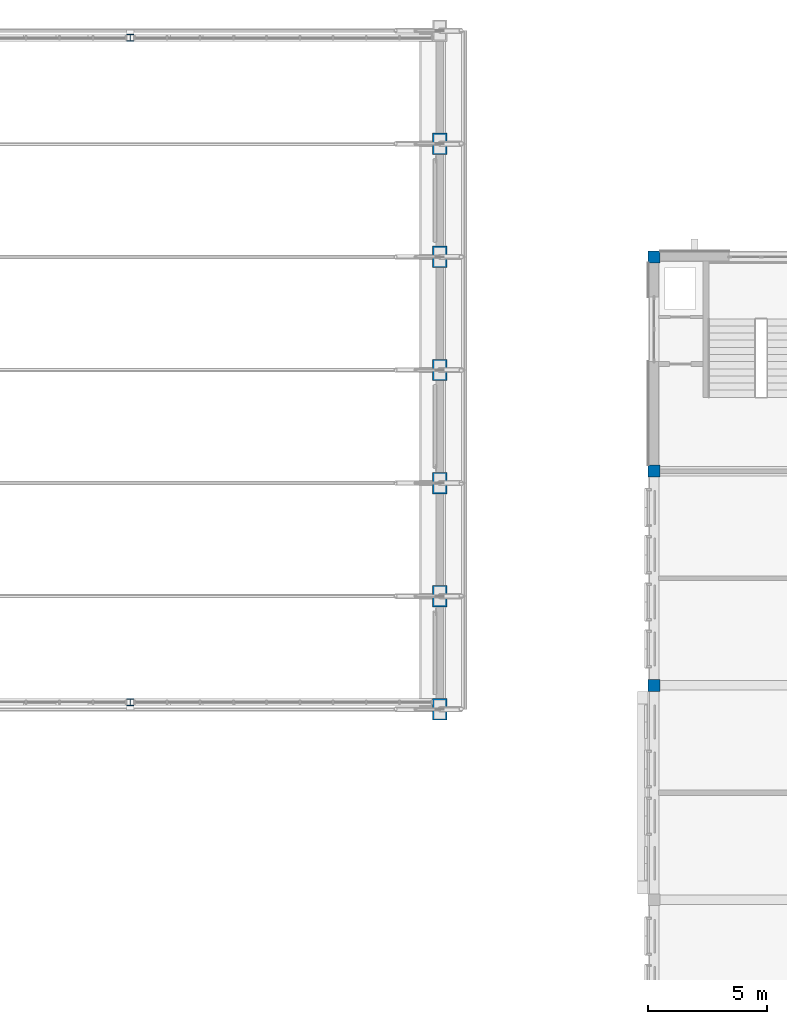
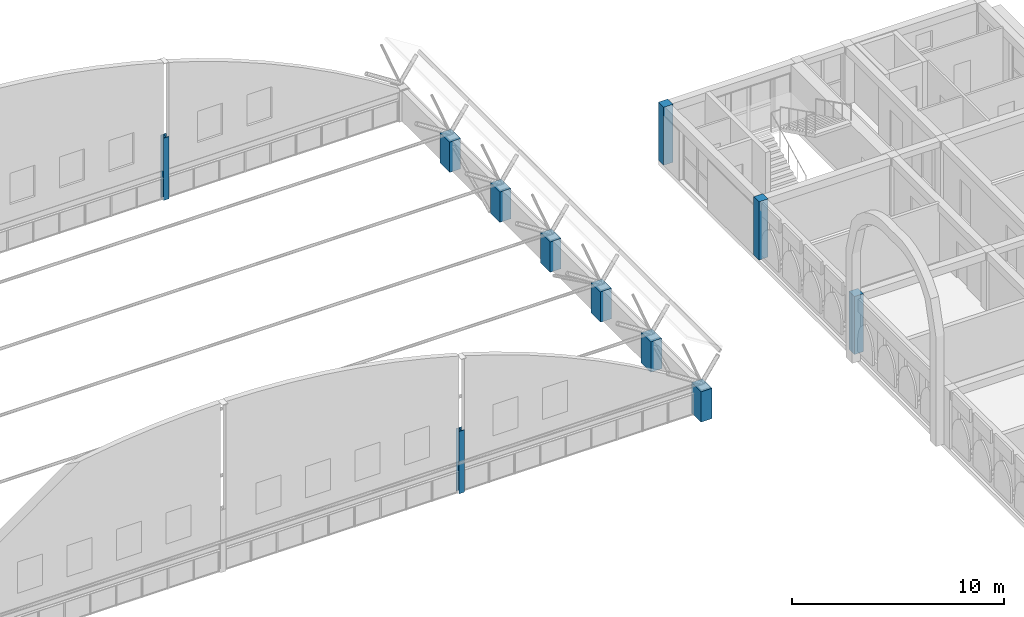
# One storey, part 3 of 65: 11 columns.
"""IFC4 building model written with IfcOpenShell, lengths in metres."""

import ifcopenshell
import ifcopenshell.guid

model = None  # the IFC model being written
_history = None  # IfcOwnerHistory: only IFC2X3 demands one
_inside = {}  # id of a spatial element -> (the spatial element, [elements in it])
_under = {}  # id of a project, library or spatial element -> (it, [spatial elements below it])
_declared = {}  # id of a project -> (the project, [libraries it declares])
_typed = {}  # id of a type object -> (the type object, [elements of that type])
_made_of = {}  # id of a material, layer set ... -> (it, [elements and type objects made of it])


def new_model(schema):
    """Start an empty IFC model of exactly this schema.

    Asked for "IFC4X3", IfcOpenShell would pick the latest addendum, in which some entities
    have other attributes; the version numbers below select the first issue.
    IFC2X3 requires an IfcOwnerHistory on every rooted entity: one is made here for all.
    """
    global model, _history
    if schema == "IFC4X3":
        model = ifcopenshell.file(schema_version=(4, 3, 0, 0))
    else:
        model = ifcopenshell.file(schema=schema)
    _inside.clear()
    _under.clear()
    _declared.clear()
    _typed.clear()
    _made_of.clear()
    _history = None
    if model.schema == "IFC2X3":
        org = make("IfcOrganization", Name="unknown")
        user = make(
            "IfcPersonAndOrganization",
            ThePerson=make("IfcPerson", FamilyName="unknown"),
            TheOrganization=org,
        )
        app = make(
            "IfcApplication",
            ApplicationDeveloper=org,
            Version="unknown",
            ApplicationFullName="unknown",
            ApplicationIdentifier="unknown",
        )
        _history = make(
            "IfcOwnerHistory",
            OwningUser=user,
            OwningApplication=app,
            ChangeAction="ADDED",
            CreationDate=0,
        )
    return model


def make(cls, **values):
    """One entity of the class cls with the attributes given. An attribute that is None is left unset."""
    return model.create_entity(
        cls, **{name: value for name, value in values.items() if value is not None}
    )


def rooted(cls, **values):
    """An entity with a GlobalId (a new one), such as an element, a storey or a relation."""
    return make(cls, GlobalId=ifcopenshell.guid.new(), OwnerHistory=_history, **values)


def si_unit(unit_type, name, prefix=None):
    """IfcSIUnit, for example si_unit("LENGTHUNIT", "METRE", prefix="MILLI")."""
    return make("IfcSIUnit", UnitType=unit_type, Prefix=prefix, Name=name)


def assignment(units):
    """IfcUnitAssignment: the units of a project."""
    return None if units is None else make("IfcUnitAssignment", Units=units)


def point(xyz):
    """IfcCartesianPoint."""
    return None if xyz is None else make("IfcCartesianPoint", Coordinates=xyz)


def direction(xyz):
    """IfcDirection."""
    return None if xyz is None else make("IfcDirection", DirectionRatios=xyz)


def frame(location, z_axis=None, x_axis=None):
    """IfcAxis2Placement3D, a coordinate frame: its origin and axes. An axis left out is left unset."""
    return make(
        "IfcAxis2Placement3D",
        Location=point(location),
        Axis=direction(z_axis),
        RefDirection=direction(x_axis),
    )


def frame_2d(location, x_axis=None):
    """IfcAxis2Placement2D, a coordinate frame in the plane: its origin and x axis."""
    return make(
        "IfcAxis2Placement2D", Location=point(location), RefDirection=direction(x_axis)
    )


def origin():
    """The frame at (0, 0, 0) with its axes left unset."""
    return frame((0.0, 0.0, 0.0))


def origin_2d():
    """The frame at (0, 0) in the plane with its x axis left unset."""
    return frame_2d((0.0, 0.0))


def place(relative_to, where):
    """IfcLocalPlacement: puts the frame where relative to a parent placement (None: the world)."""
    return make(
        "IfcLocalPlacement", PlacementRelTo=relative_to, RelativePlacement=where
    )


def context(
    kind, dimensions, precision=None, world=None, true_north=None, identifier=None
):
    """IfcGeometricRepresentationContext, for example the 3D "Model" context."""
    return make(
        "IfcGeometricRepresentationContext",
        ContextIdentifier=identifier,
        ContextType=kind,
        CoordinateSpaceDimension=dimensions,
        Precision=precision,
        WorldCoordinateSystem=world,
        TrueNorth=true_north,
    )


def subcontext(parent, identifier, kind, view, scale=None):
    """IfcGeometricRepresentationSubContext, for example "Body" below "Model"."""
    return make(
        "IfcGeometricRepresentationSubContext",
        ContextIdentifier=identifier,
        ContextType=kind,
        ParentContext=parent,
        TargetScale=scale,
        TargetView=view,
    )


def project(units=None, contexts=None):
    """IfcProject with its units and contexts."""
    return rooted(
        "IfcProject",
        Name="project",
        RepresentationContexts=contexts,
        UnitsInContext=assignment(units),
    )


def spatial(cls, under=None, at=None, **own):
    """A site, building, storey or space (cls), placed at a placement, below another one or the project."""
    s = rooted(cls, ObjectPlacement=at, **own)
    if under is not None:
        _under.setdefault(under.id(), (under, []))[1].append(s)
    return s


def profile(cls, at=None, kind="AREA", **sizes):
    """A parametric profile (cls). Its sizes go by their IFC names, for example OverallWidth=200.0."""
    return make(cls, ProfileType=kind, Position=at, **sizes)


def rectangle(**sizes):
    """IfcRectangleProfileDef."""
    return profile("IfcRectangleProfileDef", **sizes)


def i_section(**sizes):
    """IfcIShapeProfileDef."""
    return profile("IfcIShapeProfileDef", **sizes)


def extrude(swept, where, along, depth):
    """IfcExtrudedAreaSolid: the profile swept, set in the frame where, extruded along a direction by depth."""
    return make(
        "IfcExtrudedAreaSolid",
        SweptArea=swept,
        Position=where,
        ExtrudedDirection=direction(along),
        Depth=depth,
    )


def shape(context_of_items, identifier, shape_type, items):
    """IfcShapeRepresentation: the items that make up one representation, for example the "Body"."""
    return make(
        "IfcShapeRepresentation",
        ContextOfItems=context_of_items,
        RepresentationIdentifier=identifier,
        RepresentationType=shape_type,
        Items=items,
    )


def material(Name=None, Category=None):
    """IfcMaterial."""
    return make("IfcMaterial", Name=Name, Category=Category)


def material_profile(
    of_material, cross_section, Name=None, Category=None, Priority=None
):
    """IfcMaterialProfile: a cross section and its material."""
    return make(
        "IfcMaterialProfile",
        Name=Name,
        Material=of_material,
        Profile=cross_section,
        Priority=Priority,
        Category=Category,
    )


def profile_set(profiles, Name=None, composite=None):
    """IfcMaterialProfileSet."""
    return make(
        "IfcMaterialProfileSet",
        Name=Name,
        MaterialProfiles=profiles,
        CompositeProfile=composite,
    )


def made_of(thing, what):
    """Note that an element or type object is made of a material, layer set ...; save() writes the relation."""
    if what is not None:
        _made_of.setdefault(what.id(), (what, []))[1].append(thing)
    return thing


def type_object(cls, material=None, **own):
    """A type object (cls), such as IfcWallType, which elements share."""
    return made_of(rooted(cls, **own), material)


def element(
    cls,
    number,
    at=None,
    inside=None,
    cuts=None,
    type_object=None,
    material=None,
    context=None,
    identifier="Body",
    shape_type=None,
    held_by="IfcProductDefinitionShape",
    body=None,
    shapes=None,
    **own,
):
    """One element of the class cls, such as IfcWall. Its Tag is "e" and its number.

    at: its placement. inside: the storey or other place that contains it. cuts: it is an
    opening in that element (IfcRelVoidsElement). A single representation is given by context,
    identifier, shape_type and body (its items); several are given by shapes. held_by: the class
    of the entity that holds the representations. save() writes the other relations.
    """
    e = rooted(cls, Tag="e%d" % number, ObjectPlacement=at, **own)
    if body is not None:
        shapes = [shape(context, identifier, shape_type, body)]
    if shapes is not None:
        e.Representation = make(held_by, Representations=shapes)
    if inside is not None:
        _inside.setdefault(inside.id(), (inside, []))[1].append(e)
    if cuts is not None:
        rooted(
            "IfcRelVoidsElement", RelatingBuildingElement=cuts, RelatedOpeningElement=e
        )
    if type_object is not None:
        _typed.setdefault(type_object.id(), (type_object, []))[1].append(e)
    return made_of(e, material)


def aggregate(whole, parts):
    """IfcRelAggregates: a whole, such as a stair, and the parts it consists of."""
    return rooted("IfcRelAggregates", RelatingObject=whole, RelatedObjects=parts)


def save(model, path):
    """Write the relations noted so far, then the file.

    IfcRelAggregates (storeys below a building ...), IfcRelContainedInSpatialStructure (elements
    in a storey), IfcRelDefinesByType, IfcRelAssociatesMaterial and IfcRelDeclares: one each for
    every whole, place, type object, material and project.
    """
    for whole, parts in _under.values():
        aggregate(whole, parts)
    for where, things in _inside.values():
        rooted(
            "IfcRelContainedInSpatialStructure",
            RelatedElements=things,
            RelatingStructure=where,
        )
    for kind, things in _typed.values():
        rooted("IfcRelDefinesByType", RelatedObjects=things, RelatingType=kind)
    for what, things in _made_of.values():
        rooted("IfcRelAssociatesMaterial", RelatedObjects=things, RelatingMaterial=what)
    for by, libraries in _declared.values():
        rooted("IfcRelDeclares", RelatingContext=by, RelatedDefinitions=libraries)
    model.write(path)


model = new_model("IFC4")

# Units and contexts
model_context = context("Model", 3, precision=1e-05, world=origin(), true_north=direction((0.0, 1.0)))
body_context = subcontext(model_context, "Body", "Model", "MODEL_VIEW")
ifc_project = project(units=[si_unit("LENGTHUNIT", "METRE"), si_unit("AREAUNIT", "SQUARE_METRE"), si_unit("VOLUMEUNIT", "CUBIC_METRE"), si_unit("PLANEANGLEUNIT", "RADIAN"), si_unit("MASSUNIT", "GRAM", prefix="KILO")], contexts=[model_context])

# Site, building, storey
site_placement = place(None, origin())
site = spatial("IfcSite", under=ifc_project, at=site_placement, CompositionType="ELEMENT")
building_placement = place(site_placement, origin())
building = spatial("IfcBuilding", under=site, at=building_placement, Name="Elbe Cascade School", CompositionType="ELEMENT")
storey_placement = place(building_placement, frame((0.0, 0.0, 11.699951171875)))
storey = spatial("IfcBuildingStorey", under=building, at=storey_placement, Name="L03", CompositionType="ELEMENT", Elevation=11.699951171875)

# Columns
ifc_material_1 = material(Name="Steel S355J2", Category="steel")
ifc_material_profile_1 = material_profile(ifc_material_1, i_section(OverallWidth=0.300048828125, OverallDepth=0.300048828125, WebThickness=0.010986328125, FlangeThickness=0.01904296875, FilletRadius=0.027099609375, at=origin_2d()), Name="HEB 300")
ifc_profile_set_1 = profile_set([ifc_material_profile_1], Name="Steel S355J2")
column_type_1 = type_object("IfcColumnType", Name="Hall gable post HEB 300", PredefinedType="COLUMN", material=ifc_profile_set_1)
for number, where, z_axis, x_axis, name in (
    (1, (47.0, 41.300048828125, 0.0), (0.0, 0.0, 1.0), (1.0, 0.0, 0.0), "Gable post S47"),
    (2, (47.0, 69.199951171875, 0.0), (0.0, 0.0, 1.0), (1.0, 0.0, 0.0), "Gable post N47"),
):
    element("IfcColumn", number, at=place(storey_placement, frame(where, z_axis=z_axis, x_axis=x_axis)), inside=storey, type_object=column_type_1, Name=name, PredefinedType="COLUMN", context=body_context, shape_type="SweptSolid", body=[
        extrude(i_section(OverallWidth=0.300048828125, OverallDepth=0.300048828125, WebThickness=0.010986328125, FlangeThickness=0.01904296875, FilletRadius=0.027099609375, at=origin_2d()), origin(), (0.0, 0.0, 1.0), 3.60009765625),
    ])
ifc_material_2 = material(Name="Concrete C30/37", Category="concrete")
ifc_material_profile_2 = material_profile(ifc_material_2, rectangle(XDim=0.60009765625, YDim=0.89990234375, at=origin_2d()), Name="RC 600x900")
ifc_profile_set_2 = profile_set([ifc_material_profile_2], Name="Concrete C30/37")
column_type_2 = type_object("IfcColumnType", Name="Hall pilaster RC 600x900", PredefinedType="COLUMN", material=ifc_profile_set_2)
for number, where, z_axis, x_axis, name in (
    (3, (60.0, 41.0, 0.0), (0.0, 0.0, 1.0), (1.0, 0.0, 0.0), "Pilaster E1"),
    (4, (60.0, 45.75, 0.0), (0.0, 0.0, 1.0), (1.0, 0.0, 0.0), "Pilaster E2"),
    (5, (60.0, 50.5, 0.0), (0.0, 0.0, 1.0), (1.0, 0.0, 0.0), "Pilaster E3"),
    (6, (60.0, 55.25, 0.0), (0.0, 0.0, 1.0), (1.0, 0.0, 0.0), "Pilaster E4"),
    (7, (60.0, 60.0, 0.0), (0.0, 0.0, 1.0), (1.0, 0.0, 0.0), "Pilaster E5"),
    (8, (60.0, 64.75, 0.0), (0.0, 0.0, 1.0), (1.0, 0.0, 0.0), "Pilaster E6"),
):
    element("IfcColumn", number, at=place(storey_placement, frame(where, z_axis=z_axis, x_axis=x_axis)), inside=storey, type_object=column_type_2, Name=name, PredefinedType="COLUMN", context=body_context, shape_type="SweptSolid", body=[
        extrude(rectangle(XDim=0.60009765625, YDim=0.89990234375, at=origin_2d()), origin(), (0.0, 0.0, 1.0), 1.75),
    ])
ifc_material_3 = material(Name="Concrete C30/37", Category="concrete")
ifc_material_profile_3 = material_profile(ifc_material_3, rectangle(XDim=0.5, YDim=0.5, at=origin_2d()), Name="RC 500x500")
ifc_profile_set_3 = profile_set([ifc_material_profile_3], Name="Concrete C30/37")
column_type_3 = type_object("IfcColumnType", Name="RC 500x500 column", PredefinedType="COLUMN", material=ifc_profile_set_3)
for number, where, z_axis, x_axis, name in (
    (9, (69.0, 42.0, 0.0), (0.0, 0.0, 1.0), (1.0, 0.0, 0.0), "RC 500x500 column C1"),
    (10, (69.0, 51.0, 0.0), (0.0, 0.0, 1.0), (1.0, 0.0, 0.0), "RC 500x500 column C1"),
    (11, (69.0, 60.0, 0.0), (0.0, 0.0, 1.0), (1.0, 0.0, 0.0), "RC 500x500 column C1"),
):
    element("IfcColumn", number, at=place(storey_placement, frame(where, z_axis=z_axis, x_axis=x_axis)), inside=storey, type_object=column_type_3, Name=name, PredefinedType="COLUMN", context=body_context, shape_type="SweptSolid", body=[
        extrude(rectangle(XDim=0.5, YDim=0.5, at=origin_2d()), origin(), (0.0, 0.0, 1.0), 3.35009765625),
    ])

save(model, "model.ifc")
